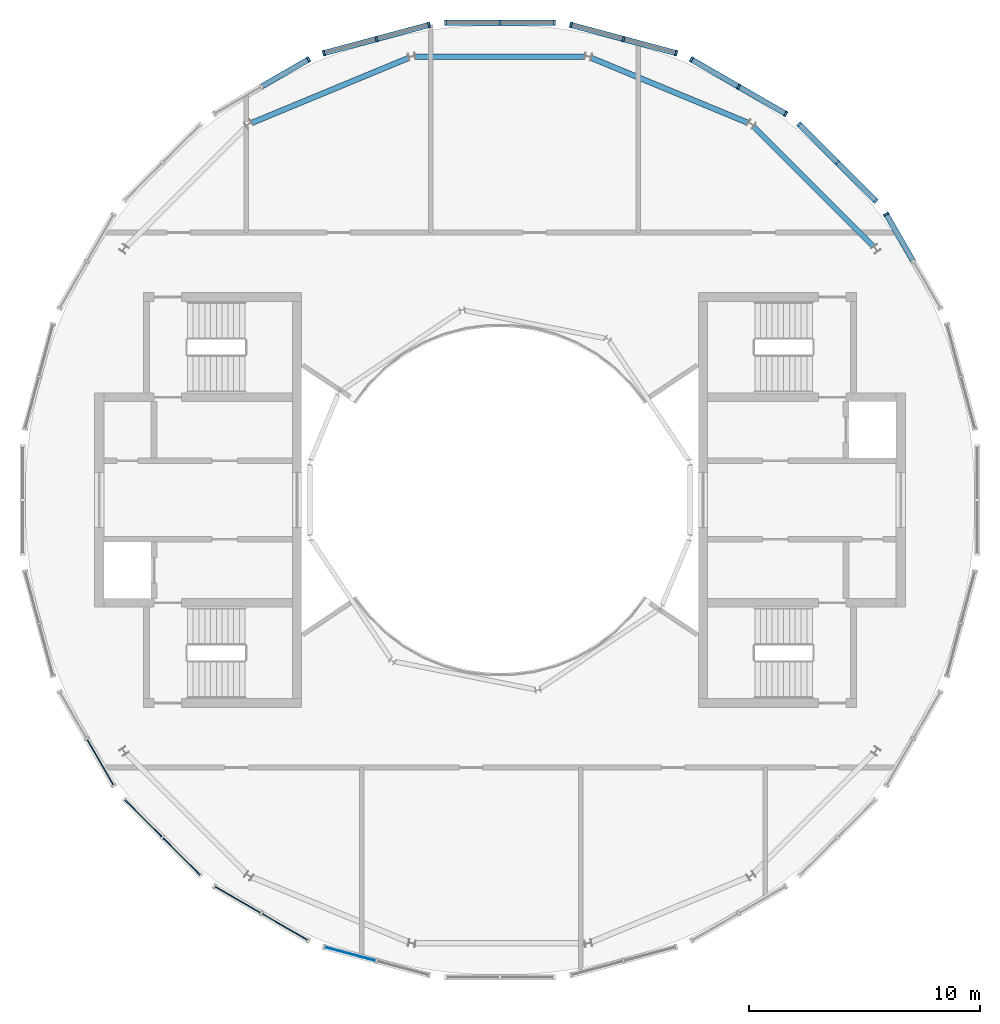
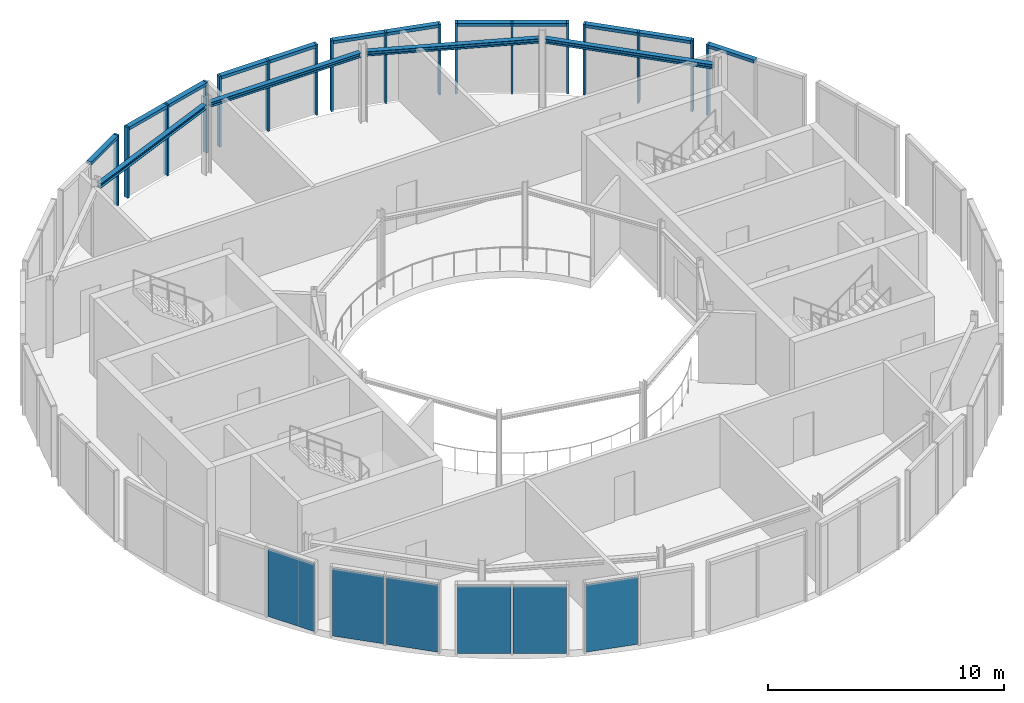
# One storey, part 6 of 12: 29 members, 6 plates, 4 beams, 11 elements without a shape of their own.
"""IFC4 building model written with IfcOpenShell, lengths in metres."""

import ifcopenshell
import ifcopenshell.guid

model = None  # the IFC model being written
_history = None  # IfcOwnerHistory: only IFC2X3 demands one
_inside = {}  # id of a spatial element -> (the spatial element, [elements in it])
_under = {}  # id of a project, library or spatial element -> (it, [spatial elements below it])
_declared = {}  # id of a project -> (the project, [libraries it declares])
_typed = {}  # id of a type object -> (the type object, [elements of that type])
_made_of = {}  # id of a material, layer set ... -> (it, [elements and type objects made of it])


def new_model(schema):
    """Start an empty IFC model of exactly this schema.

    Asked for "IFC4X3", IfcOpenShell would pick the latest addendum, in which some entities
    have other attributes; the version numbers below select the first issue.
    IFC2X3 requires an IfcOwnerHistory on every rooted entity: one is made here for all.
    """
    global model, _history
    if schema == "IFC4X3":
        model = ifcopenshell.file(schema_version=(4, 3, 0, 0))
    else:
        model = ifcopenshell.file(schema=schema)
    _inside.clear()
    _under.clear()
    _declared.clear()
    _typed.clear()
    _made_of.clear()
    _history = None
    if model.schema == "IFC2X3":
        org = make("IfcOrganization", Name="unknown")
        user = make(
            "IfcPersonAndOrganization",
            ThePerson=make("IfcPerson", FamilyName="unknown"),
            TheOrganization=org,
        )
        app = make(
            "IfcApplication",
            ApplicationDeveloper=org,
            Version="unknown",
            ApplicationFullName="unknown",
            ApplicationIdentifier="unknown",
        )
        _history = make(
            "IfcOwnerHistory",
            OwningUser=user,
            OwningApplication=app,
            ChangeAction="ADDED",
            CreationDate=0,
        )
    return model


def make(cls, **values):
    """One entity of the class cls with the attributes given. An attribute that is None is left unset."""
    return model.create_entity(
        cls, **{name: value for name, value in values.items() if value is not None}
    )


def rooted(cls, **values):
    """An entity with a GlobalId (a new one), such as an element, a storey or a relation."""
    return make(cls, GlobalId=ifcopenshell.guid.new(), OwnerHistory=_history, **values)


def si_unit(unit_type, name, prefix=None):
    """IfcSIUnit, for example si_unit("LENGTHUNIT", "METRE", prefix="MILLI")."""
    return make("IfcSIUnit", UnitType=unit_type, Prefix=prefix, Name=name)


def assignment(units):
    """IfcUnitAssignment: the units of a project."""
    return None if units is None else make("IfcUnitAssignment", Units=units)


def point(xyz):
    """IfcCartesianPoint."""
    return None if xyz is None else make("IfcCartesianPoint", Coordinates=xyz)


def direction(xyz):
    """IfcDirection."""
    return None if xyz is None else make("IfcDirection", DirectionRatios=xyz)


def frame(location, z_axis=None, x_axis=None):
    """IfcAxis2Placement3D, a coordinate frame: its origin and axes. An axis left out is left unset."""
    return make(
        "IfcAxis2Placement3D",
        Location=point(location),
        Axis=direction(z_axis),
        RefDirection=direction(x_axis),
    )


def frame_2d(location, x_axis=None):
    """IfcAxis2Placement2D, a coordinate frame in the plane: its origin and x axis."""
    return make(
        "IfcAxis2Placement2D", Location=point(location), RefDirection=direction(x_axis)
    )


def origin():
    """The frame at (0, 0, 0) with its axes left unset."""
    return frame((0.0, 0.0, 0.0))


def origin_2d():
    """The frame at (0, 0) in the plane with its x axis left unset."""
    return frame_2d((0.0, 0.0))


def place(relative_to, where):
    """IfcLocalPlacement: puts the frame where relative to a parent placement (None: the world)."""
    return make(
        "IfcLocalPlacement", PlacementRelTo=relative_to, RelativePlacement=where
    )


def context(
    kind, dimensions, precision=None, world=None, true_north=None, identifier=None
):
    """IfcGeometricRepresentationContext, for example the 3D "Model" context."""
    return make(
        "IfcGeometricRepresentationContext",
        ContextIdentifier=identifier,
        ContextType=kind,
        CoordinateSpaceDimension=dimensions,
        Precision=precision,
        WorldCoordinateSystem=world,
        TrueNorth=true_north,
    )


def subcontext(parent, identifier, kind, view, scale=None):
    """IfcGeometricRepresentationSubContext, for example "Body" below "Model"."""
    return make(
        "IfcGeometricRepresentationSubContext",
        ContextIdentifier=identifier,
        ContextType=kind,
        ParentContext=parent,
        TargetScale=scale,
        TargetView=view,
    )


def project(units=None, contexts=None):
    """IfcProject with its units and contexts."""
    return rooted(
        "IfcProject",
        Name="project",
        RepresentationContexts=contexts,
        UnitsInContext=assignment(units),
    )


def spatial(cls, under=None, at=None, **own):
    """A site, building, storey or space (cls), placed at a placement, below another one or the project."""
    s = rooted(cls, ObjectPlacement=at, **own)
    if under is not None:
        _under.setdefault(under.id(), (under, []))[1].append(s)
    return s


def profile(cls, at=None, kind="AREA", **sizes):
    """A parametric profile (cls). Its sizes go by their IFC names, for example OverallWidth=200.0."""
    return make(cls, ProfileType=kind, Position=at, **sizes)


def rectangle(**sizes):
    """IfcRectangleProfileDef."""
    return profile("IfcRectangleProfileDef", **sizes)


def i_section(**sizes):
    """IfcIShapeProfileDef."""
    return profile("IfcIShapeProfileDef", **sizes)


def extrude(swept, where, along, depth):
    """IfcExtrudedAreaSolid: the profile swept, set in the frame where, extruded along a direction by depth."""
    return make(
        "IfcExtrudedAreaSolid",
        SweptArea=swept,
        Position=where,
        ExtrudedDirection=direction(along),
        Depth=depth,
    )


def shape(context_of_items, identifier, shape_type, items):
    """IfcShapeRepresentation: the items that make up one representation, for example the "Body"."""
    return make(
        "IfcShapeRepresentation",
        ContextOfItems=context_of_items,
        RepresentationIdentifier=identifier,
        RepresentationType=shape_type,
        Items=items,
    )


def material(Name=None, Category=None):
    """IfcMaterial."""
    return make("IfcMaterial", Name=Name, Category=Category)


def layer(
    of_material, thickness, ventilated=None, Name=None, Category=None, Priority=None
):
    """IfcMaterialLayer: one layer of a wall or slab, of a material (None: an air gap)."""
    return make(
        "IfcMaterialLayer",
        Material=of_material,
        LayerThickness=thickness,
        IsVentilated=ventilated,
        Name=Name,
        Category=Category,
        Priority=Priority,
    )


def layer_set(layers, Name=None):
    """IfcMaterialLayerSet."""
    return make("IfcMaterialLayerSet", MaterialLayers=layers, LayerSetName=Name)


def material_profile(
    of_material, cross_section, Name=None, Category=None, Priority=None
):
    """IfcMaterialProfile: a cross section and its material."""
    return make(
        "IfcMaterialProfile",
        Name=Name,
        Material=of_material,
        Profile=cross_section,
        Priority=Priority,
        Category=Category,
    )


def profile_set(profiles, Name=None, composite=None):
    """IfcMaterialProfileSet."""
    return make(
        "IfcMaterialProfileSet",
        Name=Name,
        MaterialProfiles=profiles,
        CompositeProfile=composite,
    )


def made_of(thing, what):
    """Note that an element or type object is made of a material, layer set ...; save() writes the relation."""
    if what is not None:
        _made_of.setdefault(what.id(), (what, []))[1].append(thing)
    return thing


def type_object(cls, material=None, **own):
    """A type object (cls), such as IfcWallType, which elements share."""
    return made_of(rooted(cls, **own), material)


def element(
    cls,
    number,
    at=None,
    inside=None,
    cuts=None,
    type_object=None,
    material=None,
    context=None,
    identifier="Body",
    shape_type=None,
    held_by="IfcProductDefinitionShape",
    body=None,
    shapes=None,
    **own,
):
    """One element of the class cls, such as IfcWall. Its Tag is "e" and its number.

    at: its placement. inside: the storey or other place that contains it. cuts: it is an
    opening in that element (IfcRelVoidsElement). A single representation is given by context,
    identifier, shape_type and body (its items); several are given by shapes. held_by: the class
    of the entity that holds the representations. save() writes the other relations.
    """
    e = rooted(cls, Tag="e%d" % number, ObjectPlacement=at, **own)
    if body is not None:
        shapes = [shape(context, identifier, shape_type, body)]
    if shapes is not None:
        e.Representation = make(held_by, Representations=shapes)
    if inside is not None:
        _inside.setdefault(inside.id(), (inside, []))[1].append(e)
    if cuts is not None:
        rooted(
            "IfcRelVoidsElement", RelatingBuildingElement=cuts, RelatedOpeningElement=e
        )
    if type_object is not None:
        _typed.setdefault(type_object.id(), (type_object, []))[1].append(e)
    return made_of(e, material)


def aggregate(whole, parts):
    """IfcRelAggregates: a whole, such as a stair, and the parts it consists of."""
    return rooted("IfcRelAggregates", RelatingObject=whole, RelatedObjects=parts)


def save(model, path):
    """Write the relations noted so far, then the file.

    IfcRelAggregates (storeys below a building ...), IfcRelContainedInSpatialStructure (elements
    in a storey), IfcRelDefinesByType, IfcRelAssociatesMaterial and IfcRelDeclares: one each for
    every whole, place, type object, material and project.
    """
    for whole, parts in _under.values():
        aggregate(whole, parts)
    for where, things in _inside.values():
        rooted(
            "IfcRelContainedInSpatialStructure",
            RelatedElements=things,
            RelatingStructure=where,
        )
    for kind, things in _typed.values():
        rooted("IfcRelDefinesByType", RelatedObjects=things, RelatingType=kind)
    for what, things in _made_of.values():
        rooted("IfcRelAssociatesMaterial", RelatedObjects=things, RelatingMaterial=what)
    for by, libraries in _declared.values():
        rooted("IfcRelDeclares", RelatingContext=by, RelatedDefinitions=libraries)
    model.write(path)


model = new_model("IFC4")

# Units and contexts
model_context = context("Model", 3, precision=1e-05, world=origin(), true_north=direction((0.0, 1.0)))
body_context = subcontext(model_context, "Body", "Model", "MODEL_VIEW")
ifc_project = project(units=[si_unit("LENGTHUNIT", "METRE"), si_unit("AREAUNIT", "SQUARE_METRE"), si_unit("VOLUMEUNIT", "CUBIC_METRE"), si_unit("PLANEANGLEUNIT", "RADIAN"), si_unit("MASSUNIT", "GRAM", prefix="KILO")], contexts=[model_context])

# Site, building, storey
site_placement = place(None, origin())
site = spatial("IfcSite", under=ifc_project, at=site_placement, CompositionType="ELEMENT")
building_placement = place(site_placement, origin())
building = spatial("IfcBuilding", under=site, at=building_placement, Name="Maasbend Ring Residences", CompositionType="ELEMENT")
storey_placement = place(building_placement, frame((0.0, 0.0, 265.5)))
storey = spatial("IfcBuildingStorey", under=building, at=storey_placement, Name="L76", CompositionType="ELEMENT", Elevation=265.5)

# Curtain wall, member
ifc_material_1 = material(Name="Aluminium and clear glass", Category="aluminium")
ifc_layer_1 = layer(ifc_material_1, 0.239990234375)
ifc_layer_set_1 = layer_set([ifc_layer_1], Name="CW-CN")
curtain_wall_type = type_object("IfcCurtainWallType", Name="CW-CN", PredefinedType="NOTDEFINED", material=ifc_layer_set_1)
curtain_wall_1_placement = place(storey_placement, origin())
curtain_wall_1 = element("IfcCurtainWall", 1, at=curtain_wall_1_placement, inside=storey, type_object=curtain_wall_type, Name="Crown drum glazing 02 L76", PredefinedType="NOTDEFINED")
ifc_material_2 = material(Name="Aluminium 6063-T6", Category="aluminium")
ifc_material_profile_1 = material_profile(ifc_material_2, rectangle(XDim=0.239990234375, YDim=0.090087890625, at=origin_2d()), Name="AL 240x90")
ifc_profile_set_1 = profile_set([ifc_material_profile_1], Name="Aluminium 6063-T6")
member_type_1 = type_object("IfcMemberType", Name="CWM-CN", PredefinedType="MULLION", material=ifc_profile_set_1)
member_1_placement = place(storey_placement, frame((16.73974609375, 12.388671875, 0.0), z_axis=(0.0, 0.0, 1.0), x_axis=(-0.866025403784, -0.5, 0.0)))
member_1 = element("IfcMember", 2, at=member_1_placement, type_object=member_type_1, Name="Mullion crown cone", PredefinedType="MULLION", context=body_context, shape_type="SweptSolid", body=[
    extrude(rectangle(XDim=0.239990234375, YDim=0.090087890625, at=origin_2d()), origin(), (0.0, 0.0, 1.0), 3.64990234375),
])

# Curtain wall, members
curtain_wall_2_placement = place(storey_placement, origin())
curtain_wall_2 = element("IfcCurtainWall", 3, at=curtain_wall_2_placement, inside=storey, type_object=curtain_wall_type, Name="Crown drum glazing 03 L76", PredefinedType="NOTDEFINED")
member_2_placement = place(storey_placement, frame((16.299072265625, 12.962890625, 0.0), z_axis=(0.0, 0.0, 1.0), x_axis=(-0.707106781187, -0.707106781187, 0.0)))
member_2 = element("IfcMember", 4, at=member_2_placement, type_object=member_type_1, Name="Mullion crown cone", PredefinedType="MULLION", context=body_context, shape_type="SweptSolid", body=[
    extrude(rectangle(XDim=0.239990234375, YDim=0.090087890625, at=origin_2d()), origin(), (0.0, 0.0, 1.0), 3.64990234375),
])
member_3_placement = place(storey_placement, frame((14.631103515625, 14.631103515625, 0.0), z_axis=(0.0, 0.0, 1.0), x_axis=(-0.707106781187, -0.707106781187, 0.0)))
member_3 = element("IfcMember", 5, at=member_3_placement, type_object=member_type_1, Name="Mullion crown cone", PredefinedType="MULLION", context=body_context, shape_type="SweptSolid", body=[
    extrude(rectangle(XDim=0.239990234375, YDim=0.090087890625, at=origin_2d()), origin(), (0.0, 0.0, 1.0), 3.64990234375),
])
member_4_placement = place(storey_placement, frame((12.962890625, 16.299072265625, 0.0), z_axis=(0.0, 0.0, 1.0), x_axis=(-0.707106781187, -0.707106781187, 0.0)))
member_4 = element("IfcMember", 6, at=member_4_placement, type_object=member_type_1, Name="Mullion crown cone", PredefinedType="MULLION", context=body_context, shape_type="SweptSolid", body=[
    extrude(rectangle(XDim=0.239990234375, YDim=0.090087890625, at=origin_2d()), origin(), (0.0, 0.0, 1.0), 3.64990234375),
])

curtain_wall_3_placement = place(storey_placement, origin())
curtain_wall_3 = element("IfcCurtainWall", 7, at=curtain_wall_3_placement, inside=storey, type_object=curtain_wall_type, Name="Crown drum glazing 04 L76", PredefinedType="NOTDEFINED")
member_5_placement = place(storey_placement, frame((12.388671875, 16.73974609375, 0.0), z_axis=(0.0, 0.0, 1.0), x_axis=(-0.5, -0.866025403784, 0.0)))
member_5 = element("IfcMember", 8, at=member_5_placement, type_object=member_type_1, Name="Mullion crown cone", PredefinedType="MULLION", context=body_context, shape_type="SweptSolid", body=[
    extrude(rectangle(XDim=0.239990234375, YDim=0.090087890625, at=origin_2d()), origin(), (0.0, 0.0, 1.0), 3.64990234375),
])
member_6_placement = place(storey_placement, frame((10.345703125, 17.91943359375, 0.0), z_axis=(0.0, 0.0, 1.0), x_axis=(-0.5, -0.866025403784, 0.0)))
member_6 = element("IfcMember", 9, at=member_6_placement, type_object=member_type_1, Name="Mullion crown cone", PredefinedType="MULLION", context=body_context, shape_type="SweptSolid", body=[
    extrude(rectangle(XDim=0.239990234375, YDim=0.090087890625, at=origin_2d()), origin(), (0.0, 0.0, 1.0), 3.64990234375),
])
member_7_placement = place(storey_placement, frame((8.302734375, 19.098876953125, 0.0), z_axis=(0.0, 0.0, 1.0), x_axis=(-0.5, -0.866025403784, 0.0)))
member_7 = element("IfcMember", 10, at=member_7_placement, type_object=member_type_1, Name="Mullion crown cone", PredefinedType="MULLION", context=body_context, shape_type="SweptSolid", body=[
    extrude(rectangle(XDim=0.239990234375, YDim=0.090087890625, at=origin_2d()), origin(), (0.0, 0.0, 1.0), 3.64990234375),
])

curtain_wall_4_placement = place(storey_placement, origin())
curtain_wall_4 = element("IfcCurtainWall", 11, at=curtain_wall_4_placement, inside=storey, type_object=curtain_wall_type, Name="Crown drum glazing 05 L76", PredefinedType="NOTDEFINED")
member_8_placement = place(storey_placement, frame((7.634033203125, 19.375732421875, 0.0), z_axis=(0.0, 0.0, 1.0), x_axis=(-0.258819045103, -0.965925826289, 0.0)))
member_8 = element("IfcMember", 12, at=member_8_placement, type_object=member_type_1, Name="Mullion crown cone", PredefinedType="MULLION", context=body_context, shape_type="SweptSolid", body=[
    extrude(rectangle(XDim=0.239990234375, YDim=0.090087890625, at=origin_2d()), origin(), (0.0, 0.0, 1.0), 3.64990234375),
])
member_9_placement = place(storey_placement, frame((5.355224609375, 19.986328125, 0.0), z_axis=(0.0, 0.0, 1.0), x_axis=(-0.258819045103, -0.965925826289, 0.0)))
member_9 = element("IfcMember", 13, at=member_9_placement, type_object=member_type_1, Name="Mullion crown cone", PredefinedType="MULLION", context=body_context, shape_type="SweptSolid", body=[
    extrude(rectangle(XDim=0.239990234375, YDim=0.090087890625, at=origin_2d()), origin(), (0.0, 0.0, 1.0), 3.64990234375),
])
member_10_placement = place(storey_placement, frame((3.07666015625, 20.596923828125, 0.0), z_axis=(0.0, 0.0, 1.0), x_axis=(-0.258819045103, -0.965925826289, 0.0)))
member_10 = element("IfcMember", 14, at=member_10_placement, type_object=member_type_1, Name="Mullion crown cone", PredefinedType="MULLION", context=body_context, shape_type="SweptSolid", body=[
    extrude(rectangle(XDim=0.239990234375, YDim=0.090087890625, at=origin_2d()), origin(), (0.0, 0.0, 1.0), 3.64990234375),
])

curtain_wall_5_placement = place(storey_placement, origin())
curtain_wall_5 = element("IfcCurtainWall", 15, at=curtain_wall_5_placement, inside=storey, type_object=curtain_wall_type, Name="Crown drum glazing 06 L76", PredefinedType="NOTDEFINED")
member_11_placement = place(storey_placement, frame((2.359130859375, 20.69140625, 0.0), z_axis=(0.0, 0.0, 1.0), x_axis=(0.0, -1.0, 0.0)))
member_11 = element("IfcMember", 16, at=member_11_placement, type_object=member_type_1, Name="Mullion crown cone", PredefinedType="MULLION", context=body_context, shape_type="SweptSolid", body=[
    extrude(rectangle(XDim=0.239990234375, YDim=0.090087890625, at=origin_2d()), origin(), (0.0, 0.0, 1.0), 3.64990234375),
])
member_12_placement = place(storey_placement, frame((0.0, 20.69140625, 0.0), z_axis=(0.0, 0.0, 1.0), x_axis=(0.0, -1.0, 0.0)))
member_12 = element("IfcMember", 17, at=member_12_placement, type_object=member_type_1, Name="Mullion crown cone", PredefinedType="MULLION", context=body_context, shape_type="SweptSolid", body=[
    extrude(rectangle(XDim=0.239990234375, YDim=0.090087890625, at=origin_2d()), origin(), (0.0, 0.0, 1.0), 3.64990234375),
])
member_13_placement = place(storey_placement, frame((-2.359130859375, 20.69140625, 0.0), z_axis=(0.0, 0.0, 1.0), x_axis=(0.0, -1.0, 0.0)))
member_13 = element("IfcMember", 18, at=member_13_placement, type_object=member_type_1, Name="Mullion crown cone", PredefinedType="MULLION", context=body_context, shape_type="SweptSolid", body=[
    extrude(rectangle(XDim=0.239990234375, YDim=0.090087890625, at=origin_2d()), origin(), (0.0, 0.0, 1.0), 3.64990234375),
])

curtain_wall_6_placement = place(storey_placement, origin())
curtain_wall_6 = element("IfcCurtainWall", 19, at=curtain_wall_6_placement, inside=storey, type_object=curtain_wall_type, Name="Crown drum glazing 07 L76", PredefinedType="NOTDEFINED")
member_14_placement = place(storey_placement, frame((-3.07666015625, 20.596923828125, 0.0), z_axis=(0.0, 0.0, 1.0), x_axis=(0.258819045103, -0.965925826289, 0.0)))
member_14 = element("IfcMember", 20, at=member_14_placement, type_object=member_type_1, Name="Mullion crown cone", PredefinedType="MULLION", context=body_context, shape_type="SweptSolid", body=[
    extrude(rectangle(XDim=0.239990234375, YDim=0.090087890625, at=origin_2d()), origin(), (0.0, 0.0, 1.0), 3.64990234375),
])
member_15_placement = place(storey_placement, frame((-5.355224609375, 19.986328125, 0.0), z_axis=(0.0, 0.0, 1.0), x_axis=(0.258819045103, -0.965925826289, 0.0)))
member_15 = element("IfcMember", 21, at=member_15_placement, type_object=member_type_1, Name="Mullion crown cone", PredefinedType="MULLION", context=body_context, shape_type="SweptSolid", body=[
    extrude(rectangle(XDim=0.239990234375, YDim=0.090087890625, at=origin_2d()), origin(), (0.0, 0.0, 1.0), 3.64990234375),
])
member_16_placement = place(storey_placement, frame((-7.634033203125, 19.375732421875, 0.0), z_axis=(0.0, 0.0, 1.0), x_axis=(0.258819045103, -0.965925826289, 0.0)))
member_16 = element("IfcMember", 22, at=member_16_placement, type_object=member_type_1, Name="Mullion crown cone", PredefinedType="MULLION", context=body_context, shape_type="SweptSolid", body=[
    extrude(rectangle(XDim=0.239990234375, YDim=0.090087890625, at=origin_2d()), origin(), (0.0, 0.0, 1.0), 3.64990234375),
])

# Curtain wall, member
curtain_wall_7_placement = place(storey_placement, origin())
curtain_wall_7 = element("IfcCurtainWall", 23, at=curtain_wall_7_placement, inside=storey, type_object=curtain_wall_type, Name="Crown drum glazing 08 L76", PredefinedType="NOTDEFINED")
member_17_placement = place(storey_placement, frame((-8.302734375, 19.098876953125, 0.0), z_axis=(0.0, 0.0, 1.0), x_axis=(0.5, -0.866025403784, 0.0)))
member_17 = element("IfcMember", 24, at=member_17_placement, type_object=member_type_1, Name="Mullion crown cone", PredefinedType="MULLION", context=body_context, shape_type="SweptSolid", body=[
    extrude(rectangle(XDim=0.239990234375, YDim=0.090087890625, at=origin_2d()), origin(), (0.0, 0.0, 1.0), 3.64990234375),
])

# Member
ifc_material_3 = material(Name="Aluminium 6063-T6", Category="aluminium")
ifc_material_profile_2 = material_profile(ifc_material_3, rectangle(XDim=0.239990234375, YDim=0.159912109375, at=origin_2d()), Name="AL 240x160")
ifc_profile_set_2 = profile_set([ifc_material_profile_2], Name="Aluminium 6063-T6")
member_type_2 = type_object("IfcMemberType", Name="CWT-CN", PredefinedType="USERDEFINED", material=ifc_profile_set_2)
member_18_placement = place(storey_placement, frame((17.896728515625, 10.384765625, 3.570068359375), z_axis=(-0.49999255039, 0.866029704776, 0.0), x_axis=(-0.866029704776, -0.49999255039, 0.0)))
member_18 = element("IfcMember", 25, at=member_18_placement, type_object=member_type_2, Name="Transom crown cone", ObjectType="TRANSOM", PredefinedType="USERDEFINED", context=body_context, shape_type="SweptSolid", body=[
    extrude(rectangle(XDim=0.239990234375, YDim=0.159912109375, at=origin_2d()), origin(), (0.0, 0.0, 1.0), 2.26904296875),
])

aggregate(curtain_wall_1, [member_1, member_18])

member_19_placement = place(storey_placement, frame((16.267333984375, 12.994873046875, 3.570068359375), z_axis=(-0.707106781187, 0.707106781187, 0.0), x_axis=(-0.707106781187, -0.707106781187, 0.0)))
member_19 = element("IfcMember", 26, at=member_19_placement, type_object=member_type_2, Name="Transom crown cone", ObjectType="TRANSOM", PredefinedType="USERDEFINED", context=body_context, shape_type="SweptSolid", body=[
    extrude(rectangle(XDim=0.239990234375, YDim=0.159912109375, at=origin_2d()), origin(), (0.0, 0.0, 1.0), 2.26904296875),
])

member_20_placement = place(storey_placement, frame((14.599365234375, 14.662841796875, 3.570068359375), z_axis=(-0.707106781187, 0.707106781187, 0.0), x_axis=(-0.707106781187, -0.707106781187, 0.0)))
member_20 = element("IfcMember", 27, at=member_20_placement, type_object=member_type_2, Name="Transom crown cone", ObjectType="TRANSOM", PredefinedType="USERDEFINED", context=body_context, shape_type="SweptSolid", body=[
    extrude(rectangle(XDim=0.239990234375, YDim=0.159912109375, at=origin_2d()), origin(), (0.0, 0.0, 1.0), 2.26904296875),
])

aggregate(curtain_wall_2, [member_2, member_3, member_4, member_19, member_20])

member_21_placement = place(storey_placement, frame((12.349853515625, 16.76220703125, 3.570068359375), z_axis=(-0.866029704776, 0.49999255039, 0.0), x_axis=(-0.49999255039, -0.866029704776, 0.0)))
member_21 = element("IfcMember", 28, at=member_21_placement, type_object=member_type_2, Name="Transom crown cone", ObjectType="TRANSOM", PredefinedType="USERDEFINED", context=body_context, shape_type="SweptSolid", body=[
    extrude(rectangle(XDim=0.239990234375, YDim=0.159912109375, at=origin_2d()), origin(), (0.0, 0.0, 1.0), 2.26904296875),
])

member_22_placement = place(storey_placement, frame((10.306640625, 17.94189453125, 3.570068359375), z_axis=(-0.866029704776, 0.49999255039, 0.0), x_axis=(-0.49999255039, -0.866029704776, 0.0)))
member_22 = element("IfcMember", 29, at=member_22_placement, type_object=member_type_2, Name="Transom crown cone", ObjectType="TRANSOM", PredefinedType="USERDEFINED", context=body_context, shape_type="SweptSolid", body=[
    extrude(rectangle(XDim=0.239990234375, YDim=0.159912109375, at=origin_2d()), origin(), (0.0, 0.0, 1.0), 2.26904296875),
])

aggregate(curtain_wall_3, [member_5, member_6, member_7, member_21, member_22])

member_23_placement = place(storey_placement, frame((7.590576171875, 19.387451171875, 3.570068359375), z_axis=(-0.965909143883, 0.258881296667, 0.0), x_axis=(-0.258881296667, -0.965909143883, 0.0)))
member_23 = element("IfcMember", 30, at=member_23_placement, type_object=member_type_2, Name="Transom crown cone", ObjectType="TRANSOM", PredefinedType="USERDEFINED", context=body_context, shape_type="SweptSolid", body=[
    extrude(rectangle(XDim=0.239990234375, YDim=0.159912109375, at=origin_2d()), origin(), (0.0, 0.0, 1.0), 2.26904296875),
])

member_24_placement = place(storey_placement, frame((5.311767578125, 19.998046875, 3.570068359375), z_axis=(-0.965909143883, 0.258881296667, 0.0), x_axis=(-0.258881296667, -0.965909143883, 0.0)))
member_24 = element("IfcMember", 31, at=member_24_placement, type_object=member_type_2, Name="Transom crown cone", ObjectType="TRANSOM", PredefinedType="USERDEFINED", context=body_context, shape_type="SweptSolid", body=[
    extrude(rectangle(XDim=0.239990234375, YDim=0.159912109375, at=origin_2d()), origin(), (0.0, 0.0, 1.0), 2.26904296875),
])

aggregate(curtain_wall_4, [member_8, member_9, member_10, member_23, member_24])

member_25_placement = place(storey_placement, frame((2.31396484375, 20.69140625, 3.570068359375), z_axis=(-1.0, 0.0, 0.0), x_axis=(0.0, -1.0, 0.0)))
member_25 = element("IfcMember", 32, at=member_25_placement, type_object=member_type_2, Name="Transom crown cone", ObjectType="TRANSOM", PredefinedType="USERDEFINED", context=body_context, shape_type="SweptSolid", body=[
    extrude(rectangle(XDim=0.239990234375, YDim=0.159912109375, at=origin_2d()), origin(), (0.0, 0.0, 1.0), 2.26904296875),
])

member_26_placement = place(storey_placement, frame((-0.044921875, 20.69140625, 3.570068359375), z_axis=(-1.0, 0.0, 0.0), x_axis=(0.0, -1.0, 0.0)))
member_26 = element("IfcMember", 33, at=member_26_placement, type_object=member_type_2, Name="Transom crown cone", ObjectType="TRANSOM", PredefinedType="USERDEFINED", context=body_context, shape_type="SweptSolid", body=[
    extrude(rectangle(XDim=0.239990234375, YDim=0.159912109375, at=origin_2d()), origin(), (0.0, 0.0, 1.0), 2.26904296875),
])

aggregate(curtain_wall_5, [member_11, member_12, member_13, member_25, member_26])

member_27_placement = place(storey_placement, frame((-3.1201171875, 20.58544921875, 3.570068359375), z_axis=(-0.965909143883, -0.258881296667, 0.0), x_axis=(0.258881296667, -0.965909143883, 0.0)))
member_27 = element("IfcMember", 34, at=member_27_placement, type_object=member_type_2, Name="Transom crown cone", ObjectType="TRANSOM", PredefinedType="USERDEFINED", context=body_context, shape_type="SweptSolid", body=[
    extrude(rectangle(XDim=0.239990234375, YDim=0.159912109375, at=origin_2d()), origin(), (0.0, 0.0, 1.0), 2.26904296875),
])

member_28_placement = place(storey_placement, frame((-5.39892578125, 19.974853515625, 3.570068359375), z_axis=(-0.965909143883, -0.258881296667, 0.0), x_axis=(0.258881296667, -0.965909143883, 0.0)))
member_28 = element("IfcMember", 35, at=member_28_placement, type_object=member_type_2, Name="Transom crown cone", ObjectType="TRANSOM", PredefinedType="USERDEFINED", context=body_context, shape_type="SweptSolid", body=[
    extrude(rectangle(XDim=0.239990234375, YDim=0.159912109375, at=origin_2d()), origin(), (0.0, 0.0, 1.0), 2.26904296875),
])

aggregate(curtain_wall_6, [member_14, member_15, member_16, member_27, member_28])

member_29_placement = place(storey_placement, frame((-8.341552734375, 19.076416015625, 3.570068359375), z_axis=(-0.866029704776, -0.49999255039, 0.0), x_axis=(0.49999255039, -0.866029704776, 0.0)))
member_29 = element("IfcMember", 36, at=member_29_placement, type_object=member_type_2, Name="Transom crown cone", ObjectType="TRANSOM", PredefinedType="USERDEFINED", context=body_context, shape_type="SweptSolid", body=[
    extrude(rectangle(XDim=0.239990234375, YDim=0.159912109375, at=origin_2d()), origin(), (0.0, 0.0, 1.0), 2.26904296875),
])

aggregate(curtain_wall_7, [member_17, member_29])

# Beams
ifc_material_4 = material(Name="Steel S355J2", Category="steel")
ifc_material_profile_3 = material_profile(ifc_material_4, i_section(OverallWidth=0.239990234375, OverallDepth=0.22998046875, WebThickness=0.007568359375, FlangeThickness=0.011962890625, FilletRadius=0.02099609375, at=origin_2d()), Name="HEA 240")
ifc_profile_set_3 = profile_set([ifc_material_profile_3], Name="Steel S355J2")
beam_type = type_object("IfcBeamType", Name="Corridor ring beam HEA 240", PredefinedType="BEAM", material=ifc_profile_set_3)
beam_1_placement = place(storey_placement, frame((16.188720703125, 10.997314453125, 3.534912109375), z_axis=(-0.707106781187, 0.707106781187, 0.0), x_axis=(-0.707106781187, -0.707106781187, 0.0)))
element("IfcBeam", 37, at=beam_1_placement, inside=storey, type_object=beam_type, Name="Corridor ring beam", PredefinedType="BEAM", context=body_context, shape_type="SweptSolid", body=[
    extrude(i_section(OverallWidth=0.239990234375, OverallDepth=0.22998046875, WebThickness=0.007568359375, FlangeThickness=0.011962890625, FilletRadius=0.02099609375, at=origin_2d()), origin(), (0.0, 0.0, 1.0), 7.341796875),
])
beam_2_placement = place(storey_placement, frame((10.747802734375, 16.355224609375, 3.534912109375), z_axis=(-0.923875784142, 0.382692481603, 0.0), x_axis=(-0.382692481603, -0.923875784142, 0.0)))
element("IfcBeam", 38, at=beam_2_placement, inside=storey, type_object=beam_type, Name="Corridor ring beam", PredefinedType="BEAM", context=body_context, shape_type="SweptSolid", body=[
    extrude(i_section(OverallWidth=0.239990234375, OverallDepth=0.22998046875, WebThickness=0.007568359375, FlangeThickness=0.011962890625, FilletRadius=0.02099609375, at=origin_2d()), origin(), (0.0, 0.0, 1.0), 7.341552734375),
])
beam_3_placement = place(storey_placement, frame((3.6708984375, 19.223388671875, 3.534912109375), z_axis=(-1.0, 0.0, 0.0), x_axis=(0.0, -1.0, 0.0)))
element("IfcBeam", 39, at=beam_3_placement, inside=storey, type_object=beam_type, Name="Corridor ring beam", PredefinedType="BEAM", context=body_context, shape_type="SweptSolid", body=[
    extrude(i_section(OverallWidth=0.239990234375, OverallDepth=0.22998046875, WebThickness=0.007568359375, FlangeThickness=0.011962890625, FilletRadius=0.02099609375, at=origin_2d()), origin(), (0.0, 0.0, 1.0), 7.341796875),
])
beam_4_placement = place(storey_placement, frame((-3.965087890625, 19.164794921875, 3.534912109375), z_axis=(-0.923875784142, -0.382692481603, 0.0), x_axis=(0.382692481603, -0.923875784142, 0.0)))
element("IfcBeam", 40, at=beam_4_placement, inside=storey, type_object=beam_type, Name="Corridor ring beam", PredefinedType="BEAM", context=body_context, shape_type="SweptSolid", body=[
    extrude(i_section(OverallWidth=0.239990234375, OverallDepth=0.22998046875, WebThickness=0.007568359375, FlangeThickness=0.011962890625, FilletRadius=0.02099609375, at=origin_2d()), origin(), (0.0, 0.0, 1.0), 7.341552734375),
])

# Curtain wall, plate
curtain_wall_8_placement = place(storey_placement, origin())
curtain_wall_8 = element("IfcCurtainWall", 41, at=curtain_wall_8_placement, inside=storey, type_object=curtain_wall_type, Name="Crown drum glazing 14 L76", PredefinedType="NOTDEFINED")
ifc_material_5 = material(Name="Glass clear laminated", Category="glass")
ifc_layer_2 = layer(ifc_material_5, 0.0400390625)
ifc_layer_set_2 = layer_set([ifc_layer_2], Name="CWP-CN")
plate_type = type_object("IfcPlateType", Name="CWP-CN", PredefinedType="CURTAIN_PANEL", material=ifc_layer_set_2)
plate_1_placement = place(storey_placement, frame((-17.32958984375, -11.3671875, 0.0), z_axis=(0.0, 0.0, 1.0), x_axis=(0.5, -0.866025403784, 0.0)))
plate_1 = element("IfcPlate", 42, at=plate_1_placement, type_object=plate_type, Name="Glass panel crown cone", PredefinedType="CURTAIN_PANEL", context=body_context, shape_type="SweptSolid", body=[
    extrude(rectangle(XDim=2.26904296875, YDim=0.0400390625, at=origin_2d()), origin(), (0.0, 0.0, 1.0), 3.489990234375),
])
aggregate(curtain_wall_8, [plate_1])

# Curtain wall, plates
curtain_wall_9_placement = place(storey_placement, origin())
curtain_wall_9 = element("IfcCurtainWall", 43, at=curtain_wall_9_placement, inside=storey, type_object=curtain_wall_type, Name="Crown drum glazing 15 L76", PredefinedType="NOTDEFINED")
plate_2_placement = place(storey_placement, frame((-15.465087890625, -13.797119140625, 0.0), z_axis=(0.0, 0.0, 1.0), x_axis=(0.707106781187, -0.707106781187, 0.0)))
plate_2 = element("IfcPlate", 44, at=plate_2_placement, type_object=plate_type, Name="Glass panel crown cone", PredefinedType="CURTAIN_PANEL", context=body_context, shape_type="SweptSolid", body=[
    extrude(rectangle(XDim=2.26904296875, YDim=0.0400390625, at=origin_2d()), origin(), (0.0, 0.0, 1.0), 3.489990234375),
])
plate_3_placement = place(storey_placement, frame((-13.797119140625, -15.465087890625, 0.0), z_axis=(0.0, 0.0, 1.0), x_axis=(0.707106781187, -0.707106781187, 0.0)))
plate_3 = element("IfcPlate", 45, at=plate_3_placement, type_object=plate_type, Name="Glass panel crown cone", PredefinedType="CURTAIN_PANEL", context=body_context, shape_type="SweptSolid", body=[
    extrude(rectangle(XDim=2.26904296875, YDim=0.0400390625, at=origin_2d()), origin(), (0.0, 0.0, 1.0), 3.489990234375),
])
aggregate(curtain_wall_9, [plate_2, plate_3])

curtain_wall_10_placement = place(storey_placement, origin())
curtain_wall_10 = element("IfcCurtainWall", 46, at=curtain_wall_10_placement, inside=storey, type_object=curtain_wall_type, Name="Crown drum glazing 16 L76", PredefinedType="NOTDEFINED")
plate_4_placement = place(storey_placement, frame((-11.3671875, -17.32958984375, 0.0), z_axis=(0.0, 0.0, 1.0), x_axis=(0.866025403784, -0.5, 0.0)))
plate_4 = element("IfcPlate", 47, at=plate_4_placement, type_object=plate_type, Name="Glass panel crown cone", PredefinedType="CURTAIN_PANEL", context=body_context, shape_type="SweptSolid", body=[
    extrude(rectangle(XDim=2.26904296875, YDim=0.0400390625, at=origin_2d()), origin(), (0.0, 0.0, 1.0), 3.489990234375),
])
plate_5_placement = place(storey_placement, frame((-9.32421875, -18.509033203125, 0.0), z_axis=(0.0, 0.0, 1.0), x_axis=(0.866025403784, -0.5, 0.0)))
plate_5 = element("IfcPlate", 48, at=plate_5_placement, type_object=plate_type, Name="Glass panel crown cone", PredefinedType="CURTAIN_PANEL", context=body_context, shape_type="SweptSolid", body=[
    extrude(rectangle(XDim=2.26904296875, YDim=0.0400390625, at=origin_2d()), origin(), (0.0, 0.0, 1.0), 3.489990234375),
])
aggregate(curtain_wall_10, [plate_4, plate_5])

# Curtain wall, plate
curtain_wall_11_placement = place(storey_placement, origin())
curtain_wall_11 = element("IfcCurtainWall", 49, at=curtain_wall_11_placement, inside=storey, type_object=curtain_wall_type, Name="Crown drum glazing 17 L76", PredefinedType="NOTDEFINED")
plate_6_placement = place(storey_placement, frame((-6.49462890625, -19.68115234375, 0.0), z_axis=(0.0, 0.0, 1.0), x_axis=(0.965925826289, -0.258819045103, 0.0)))
plate_6 = element("IfcPlate", 50, at=plate_6_placement, type_object=plate_type, Name="Glass panel crown cone", PredefinedType="CURTAIN_PANEL", context=body_context, shape_type="SweptSolid", body=[
    extrude(rectangle(XDim=2.26904296875, YDim=0.0400390625, at=origin_2d()), origin(), (0.0, 0.0, 1.0), 3.489990234375),
])
aggregate(curtain_wall_11, [plate_6])

save(model, "model.ifc")
